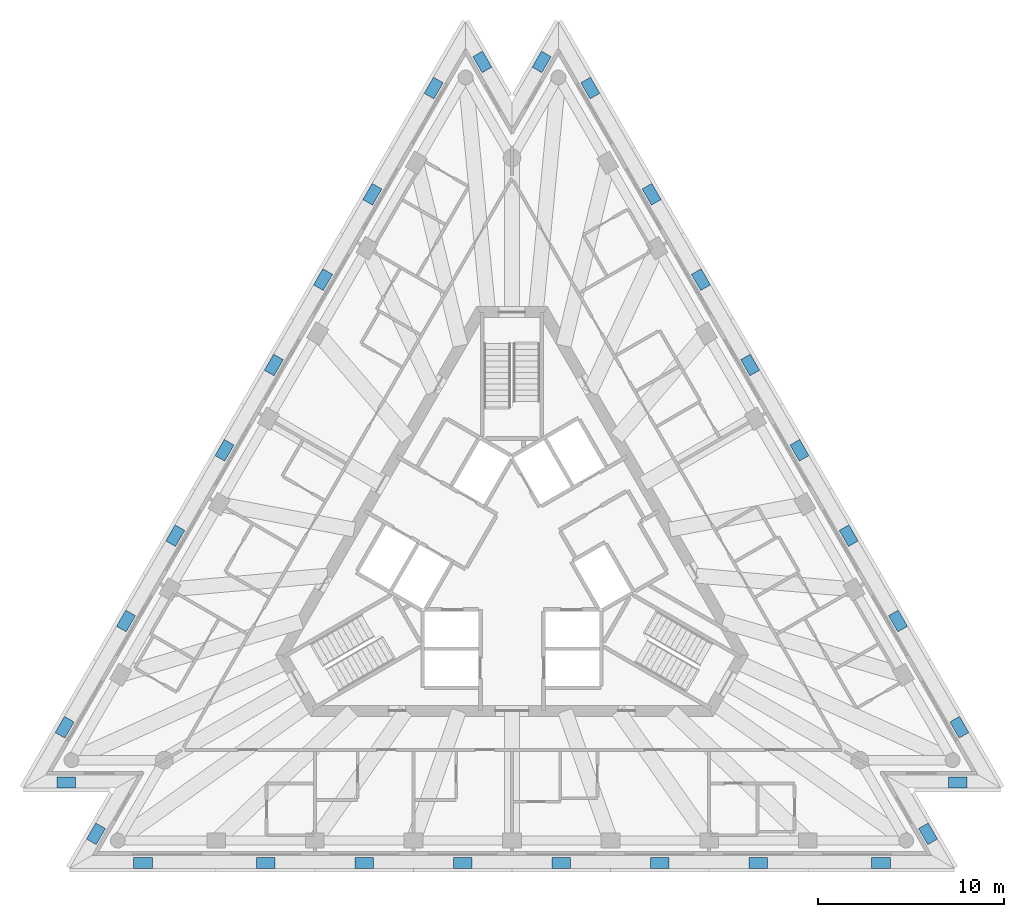
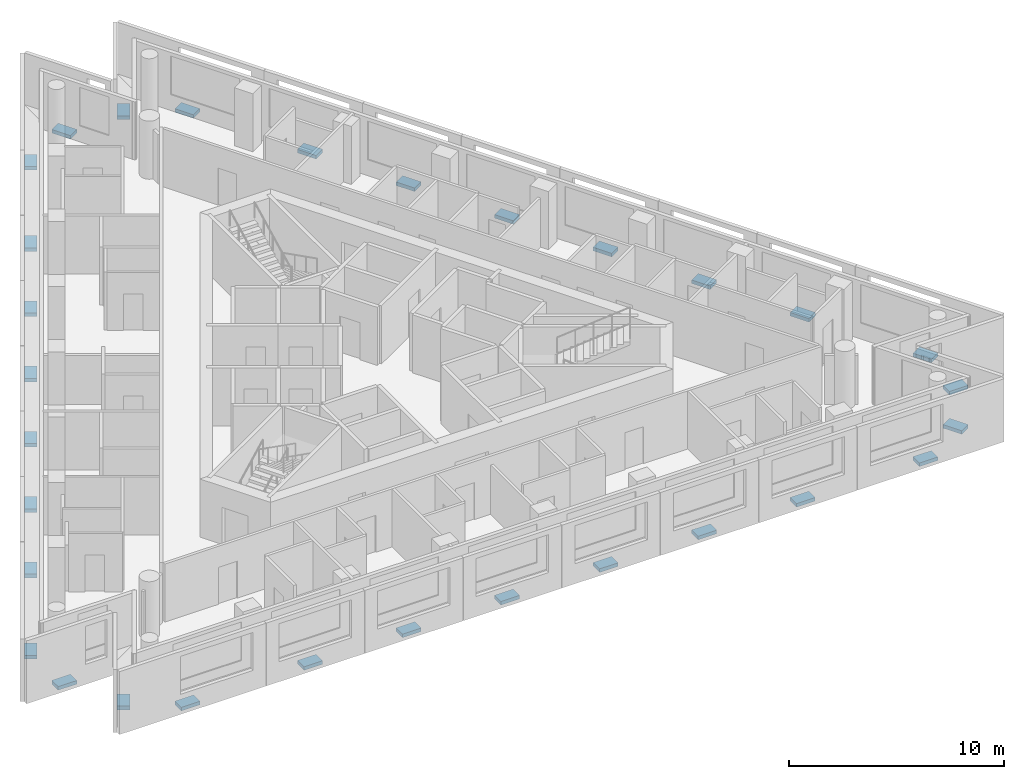
# One storey, part 9 of 11: 30 discrete accessories.
"""IFC4 building model written with IfcOpenShell, lengths in metres."""

import ifcopenshell
import ifcopenshell.guid

model = None  # the IFC model being written
_history = None  # IfcOwnerHistory: only IFC2X3 demands one
_inside = {}  # id of a spatial element -> (the spatial element, [elements in it])
_under = {}  # id of a project, library or spatial element -> (it, [spatial elements below it])
_declared = {}  # id of a project -> (the project, [libraries it declares])
_typed = {}  # id of a type object -> (the type object, [elements of that type])
_made_of = {}  # id of a material, layer set ... -> (it, [elements and type objects made of it])


def new_model(schema):
    """Start an empty IFC model of exactly this schema.

    Asked for "IFC4X3", IfcOpenShell would pick the latest addendum, in which some entities
    have other attributes; the version numbers below select the first issue.
    IFC2X3 requires an IfcOwnerHistory on every rooted entity: one is made here for all.
    """
    global model, _history
    if schema == "IFC4X3":
        model = ifcopenshell.file(schema_version=(4, 3, 0, 0))
    else:
        model = ifcopenshell.file(schema=schema)
    _inside.clear()
    _under.clear()
    _declared.clear()
    _typed.clear()
    _made_of.clear()
    _history = None
    if model.schema == "IFC2X3":
        org = make("IfcOrganization", Name="unknown")
        user = make(
            "IfcPersonAndOrganization",
            ThePerson=make("IfcPerson", FamilyName="unknown"),
            TheOrganization=org,
        )
        app = make(
            "IfcApplication",
            ApplicationDeveloper=org,
            Version="unknown",
            ApplicationFullName="unknown",
            ApplicationIdentifier="unknown",
        )
        _history = make(
            "IfcOwnerHistory",
            OwningUser=user,
            OwningApplication=app,
            ChangeAction="ADDED",
            CreationDate=0,
        )
    return model


def make(cls, **values):
    """One entity of the class cls with the attributes given. An attribute that is None is left unset."""
    return model.create_entity(
        cls, **{name: value for name, value in values.items() if value is not None}
    )


def rooted(cls, **values):
    """An entity with a GlobalId (a new one), such as an element, a storey or a relation."""
    return make(cls, GlobalId=ifcopenshell.guid.new(), OwnerHistory=_history, **values)


def si_unit(unit_type, name, prefix=None):
    """IfcSIUnit, for example si_unit("LENGTHUNIT", "METRE", prefix="MILLI")."""
    return make("IfcSIUnit", UnitType=unit_type, Prefix=prefix, Name=name)


def assignment(units):
    """IfcUnitAssignment: the units of a project."""
    return None if units is None else make("IfcUnitAssignment", Units=units)


def point(xyz):
    """IfcCartesianPoint."""
    return None if xyz is None else make("IfcCartesianPoint", Coordinates=xyz)


def direction(xyz):
    """IfcDirection."""
    return None if xyz is None else make("IfcDirection", DirectionRatios=xyz)


def frame(location, z_axis=None, x_axis=None):
    """IfcAxis2Placement3D, a coordinate frame: its origin and axes. An axis left out is left unset."""
    return make(
        "IfcAxis2Placement3D",
        Location=point(location),
        Axis=direction(z_axis),
        RefDirection=direction(x_axis),
    )


def frame_2d(location, x_axis=None):
    """IfcAxis2Placement2D, a coordinate frame in the plane: its origin and x axis."""
    return make(
        "IfcAxis2Placement2D", Location=point(location), RefDirection=direction(x_axis)
    )


def origin():
    """The frame at (0, 0, 0) with its axes left unset."""
    return frame((0.0, 0.0, 0.0))


def origin_2d():
    """The frame at (0, 0) in the plane with its x axis left unset."""
    return frame_2d((0.0, 0.0))


def place(relative_to, where):
    """IfcLocalPlacement: puts the frame where relative to a parent placement (None: the world)."""
    return make(
        "IfcLocalPlacement", PlacementRelTo=relative_to, RelativePlacement=where
    )


def context(
    kind, dimensions, precision=None, world=None, true_north=None, identifier=None
):
    """IfcGeometricRepresentationContext, for example the 3D "Model" context."""
    return make(
        "IfcGeometricRepresentationContext",
        ContextIdentifier=identifier,
        ContextType=kind,
        CoordinateSpaceDimension=dimensions,
        Precision=precision,
        WorldCoordinateSystem=world,
        TrueNorth=true_north,
    )


def subcontext(parent, identifier, kind, view, scale=None):
    """IfcGeometricRepresentationSubContext, for example "Body" below "Model"."""
    return make(
        "IfcGeometricRepresentationSubContext",
        ContextIdentifier=identifier,
        ContextType=kind,
        ParentContext=parent,
        TargetScale=scale,
        TargetView=view,
    )


def project(units=None, contexts=None):
    """IfcProject with its units and contexts."""
    return rooted(
        "IfcProject",
        Name="project",
        RepresentationContexts=contexts,
        UnitsInContext=assignment(units),
    )


def spatial(cls, under=None, at=None, **own):
    """A site, building, storey or space (cls), placed at a placement, below another one or the project."""
    s = rooted(cls, ObjectPlacement=at, **own)
    if under is not None:
        _under.setdefault(under.id(), (under, []))[1].append(s)
    return s


def profile(cls, at=None, kind="AREA", **sizes):
    """A parametric profile (cls). Its sizes go by their IFC names, for example OverallWidth=200.0."""
    return make(cls, ProfileType=kind, Position=at, **sizes)


def rectangle(**sizes):
    """IfcRectangleProfileDef."""
    return profile("IfcRectangleProfileDef", **sizes)


def extrude(swept, where, along, depth):
    """IfcExtrudedAreaSolid: the profile swept, set in the frame where, extruded along a direction by depth."""
    return make(
        "IfcExtrudedAreaSolid",
        SweptArea=swept,
        Position=where,
        ExtrudedDirection=direction(along),
        Depth=depth,
    )


def shape(context_of_items, identifier, shape_type, items):
    """IfcShapeRepresentation: the items that make up one representation, for example the "Body"."""
    return make(
        "IfcShapeRepresentation",
        ContextOfItems=context_of_items,
        RepresentationIdentifier=identifier,
        RepresentationType=shape_type,
        Items=items,
    )


def material(Name=None, Category=None):
    """IfcMaterial."""
    return make("IfcMaterial", Name=Name, Category=Category)


def made_of(thing, what):
    """Note that an element or type object is made of a material, layer set ...; save() writes the relation."""
    if what is not None:
        _made_of.setdefault(what.id(), (what, []))[1].append(thing)
    return thing


def type_object(cls, material=None, **own):
    """A type object (cls), such as IfcWallType, which elements share."""
    return made_of(rooted(cls, **own), material)


def element(
    cls,
    number,
    at=None,
    inside=None,
    cuts=None,
    type_object=None,
    material=None,
    context=None,
    identifier="Body",
    shape_type=None,
    held_by="IfcProductDefinitionShape",
    body=None,
    shapes=None,
    **own,
):
    """One element of the class cls, such as IfcWall. Its Tag is "e" and its number.

    at: its placement. inside: the storey or other place that contains it. cuts: it is an
    opening in that element (IfcRelVoidsElement). A single representation is given by context,
    identifier, shape_type and body (its items); several are given by shapes. held_by: the class
    of the entity that holds the representations. save() writes the other relations.
    """
    e = rooted(cls, Tag="e%d" % number, ObjectPlacement=at, **own)
    if body is not None:
        shapes = [shape(context, identifier, shape_type, body)]
    if shapes is not None:
        e.Representation = make(held_by, Representations=shapes)
    if inside is not None:
        _inside.setdefault(inside.id(), (inside, []))[1].append(e)
    if cuts is not None:
        rooted(
            "IfcRelVoidsElement", RelatingBuildingElement=cuts, RelatedOpeningElement=e
        )
    if type_object is not None:
        _typed.setdefault(type_object.id(), (type_object, []))[1].append(e)
    return made_of(e, material)


def aggregate(whole, parts):
    """IfcRelAggregates: a whole, such as a stair, and the parts it consists of."""
    return rooted("IfcRelAggregates", RelatingObject=whole, RelatedObjects=parts)


def save(model, path):
    """Write the relations noted so far, then the file.

    IfcRelAggregates (storeys below a building ...), IfcRelContainedInSpatialStructure (elements
    in a storey), IfcRelDefinesByType, IfcRelAssociatesMaterial and IfcRelDeclares: one each for
    every whole, place, type object, material and project.
    """
    for whole, parts in _under.values():
        aggregate(whole, parts)
    for where, things in _inside.values():
        rooted(
            "IfcRelContainedInSpatialStructure",
            RelatedElements=things,
            RelatingStructure=where,
        )
    for kind, things in _typed.values():
        rooted("IfcRelDefinesByType", RelatedObjects=things, RelatingType=kind)
    for what, things in _made_of.values():
        rooted("IfcRelAssociatesMaterial", RelatedObjects=things, RelatingMaterial=what)
    for by, libraries in _declared.values():
        rooted("IfcRelDeclares", RelatingContext=by, RelatedDefinitions=libraries)
    model.write(path)


model = new_model("IFC4")

# Units and contexts
model_context = context("Model", 3, precision=1e-05, world=origin(), true_north=direction((0.0, 1.0)))
body_context = subcontext(model_context, "Body", "Model", "MODEL_VIEW")
ifc_project = project(units=[si_unit("LENGTHUNIT", "METRE"), si_unit("AREAUNIT", "SQUARE_METRE"), si_unit("VOLUMEUNIT", "CUBIC_METRE"), si_unit("PLANEANGLEUNIT", "RADIAN"), si_unit("MASSUNIT", "GRAM", prefix="KILO")], contexts=[model_context])

# Site, building, storey
site_placement = place(None, origin())
site = spatial("IfcSite", under=ifc_project, at=site_placement, CompositionType="ELEMENT")
building_placement = place(site_placement, origin())
building = spatial("IfcBuilding", under=site, at=building_placement, Name="Triada Interchange Tower", CompositionType="ELEMENT")
storey_placement = place(building_placement, frame((0.0, 0.0, 304.300048828125)))
storey = spatial("IfcBuildingStorey", under=building, at=storey_placement, Name="L72", CompositionType="ELEMENT", Elevation=304.300048828125)

# Discrete accessories
ifc_material = material(Name="Steel S355", Category="steel")
discrete_accessory_type = type_object("IfcDiscreteAccessoryType", Name="Steel bracket outer skin", PredefinedType="BRACKET", material=ifc_material)
for number, where, z_axis, x_axis, name in (
    (1, (-4.212890625, 25.35693359375, -0.27001953125), (0.0, 0.0, 1.0), (-0.866027201468, 0.499996886308, 0.0), "Bracket L72 01"),
    (2, (-7.512939453125, 19.64111328125, -0.27001953125), (0.0, 0.0, 1.0), (-0.866027201468, 0.499996886308, 0.0), "Bracket L72 02"),
    (3, (-10.1640625, 15.050048828125, -0.27001953125), (0.0, 0.0, 1.0), (-0.866027201468, 0.499996886308, 0.0), "Bracket L72 03"),
    (4, (-12.81396484375, 10.458984375, -0.27001953125), (0.0, 0.0, 1.0), (-0.866027201468, 0.499996886308, 0.0), "Bracket L72 04"),
    (5, (-15.465087890625, 5.867919921875, -0.27001953125), (0.0, 0.0, 1.0), (-0.866027201468, 0.499996886308, 0.0), "Bracket L72 05"),
    (6, (-18.114990234375, 1.277099609375, -0.27001953125), (0.0, 0.0, 1.0), (-0.866027201468, 0.499996886308, 0.0), "Bracket L72 06"),
    (7, (-20.76611328125, -3.31396484375, -0.27001953125), (0.0, 0.0, 1.0), (-0.866027201468, 0.499996886308, 0.0), "Bracket L72 07"),
    (8, (-24.06591796875, -9.029052734375, -0.27001953125), (0.0, 0.0, 1.0), (-0.866027201468, 0.499996886308, 0.0), "Bracket L72 08"),
    (9, (-23.97509765625, -12.0, -0.27001953125), (0.0, 0.0, 1.0), (0.0, -1.0, 0.0), "Bracket L72 09"),
    (10, (-22.3798828125, -14.762939453125, -0.27001953125), (0.0, 0.0, 1.0), (-0.86595559963, 0.500120884856, 0.0), "Bracket L72 10"),
    (11, (-19.85205078125, -16.326904296875, -0.27001953125), (0.0, 0.0, 1.0), (0.0, -1.0, 0.0), "Bracket L72 11"),
    (12, (-13.2529296875, -16.326904296875, -0.27001953125), (0.0, 0.0, 1.0), (0.0, -1.0, 0.0), "Bracket L72 12"),
    (13, (-7.950927734375, -16.326904296875, -0.27001953125), (0.0, 0.0, 1.0), (0.0, -1.0, 0.0), "Bracket L72 13"),
    (14, (-2.64990234375, -16.326904296875, -0.27001953125), (0.0, 0.0, 1.0), (0.0, -1.0, 0.0), "Bracket L72 14"),
    (15, (2.65087890625, -16.326904296875, -0.27001953125), (0.0, 0.0, 1.0), (0.0, -1.0, 0.0), "Bracket L72 15"),
    (16, (7.951904296875, -16.326904296875, -0.27001953125), (0.0, 0.0, 1.0), (0.0, -1.0, 0.0), "Bracket L72 16"),
    (17, (13.2529296875, -16.326904296875, -0.27001953125), (0.0, 0.0, 1.0), (0.0, -1.0, 0.0), "Bracket L72 17"),
    (18, (19.85205078125, -16.326904296875, -0.27001953125), (0.0, 0.0, 1.0), (0.0, -1.0, 0.0), "Bracket L72 18"),
    (19, (22.3798828125, -14.762939453125, -0.27001953125), (0.0, 0.0, 1.0), (0.86595559963, 0.500120884856, 0.0), "Bracket L72 19"),
    (20, (23.97509765625, -12.0, -0.27001953125), (0.0, 0.0, 1.0), (0.0, -1.0, 0.0), "Bracket L72 20"),
    (21, (24.06591796875, -9.029052734375, -0.27001953125), (0.0, 0.0, 1.0), (0.866027201468, 0.499996886308, 0.0), "Bracket L72 21"),
    (22, (20.76611328125, -3.31396484375, -0.27001953125), (0.0, 0.0, 1.0), (0.866027201468, 0.499996886308, 0.0), "Bracket L72 22"),
    (23, (18.114990234375, 1.277099609375, -0.27001953125), (0.0, 0.0, 1.0), (0.866027201468, 0.499996886308, 0.0), "Bracket L72 23"),
    (24, (15.465087890625, 5.867919921875, -0.27001953125), (0.0, 0.0, 1.0), (0.866027201468, 0.499996886308, 0.0), "Bracket L72 24"),
    (25, (12.81396484375, 10.458984375, -0.27001953125), (0.0, 0.0, 1.0), (0.866027201468, 0.499996886308, 0.0), "Bracket L72 25"),
    (26, (10.1640625, 15.050048828125, -0.27001953125), (0.0, 0.0, 1.0), (0.866027201468, 0.499996886308, 0.0), "Bracket L72 26"),
    (27, (7.512939453125, 19.64111328125, -0.27001953125), (0.0, 0.0, 1.0), (0.866027201468, 0.499996886308, 0.0), "Bracket L72 27"),
    (28, (4.212890625, 25.35693359375, -0.27001953125), (0.0, 0.0, 1.0), (0.866027201468, 0.499996886308, 0.0), "Bracket L72 28"),
    (29, (1.594970703125, 26.762939453125, -0.27001953125), (0.0, 0.0, 1.0), (-0.866092285778, 0.499884139092, 0.0), "Bracket L72 29"),
    (30, (-1.594970703125, 26.762939453125, -0.27001953125), (0.0, 0.0, 1.0), (0.866092285778, 0.499884139092, 0.0), "Bracket L72 30"),
):
    element("IfcDiscreteAccessory", number, at=place(storey_placement, frame(where, z_axis=z_axis, x_axis=x_axis)), inside=storey, type_object=discrete_accessory_type, Name=name, PredefinedType="BRACKET", context=body_context, shape_type="SweptSolid", body=[
        extrude(rectangle(XDim=0.60009765625, YDim=1.0, at=origin_2d()), origin(), (0.0, 0.0, 1.0), 0.199951171875),
    ])

save(model, "model.ifc")
